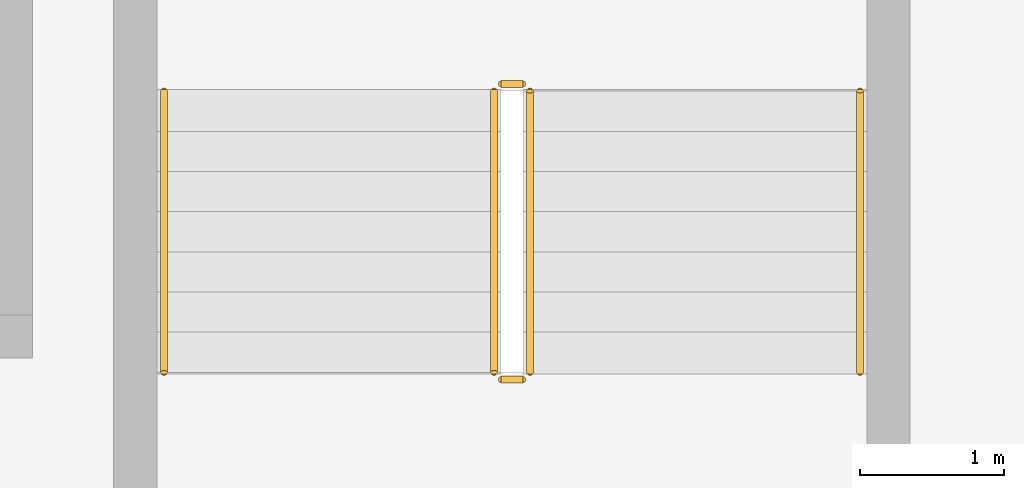
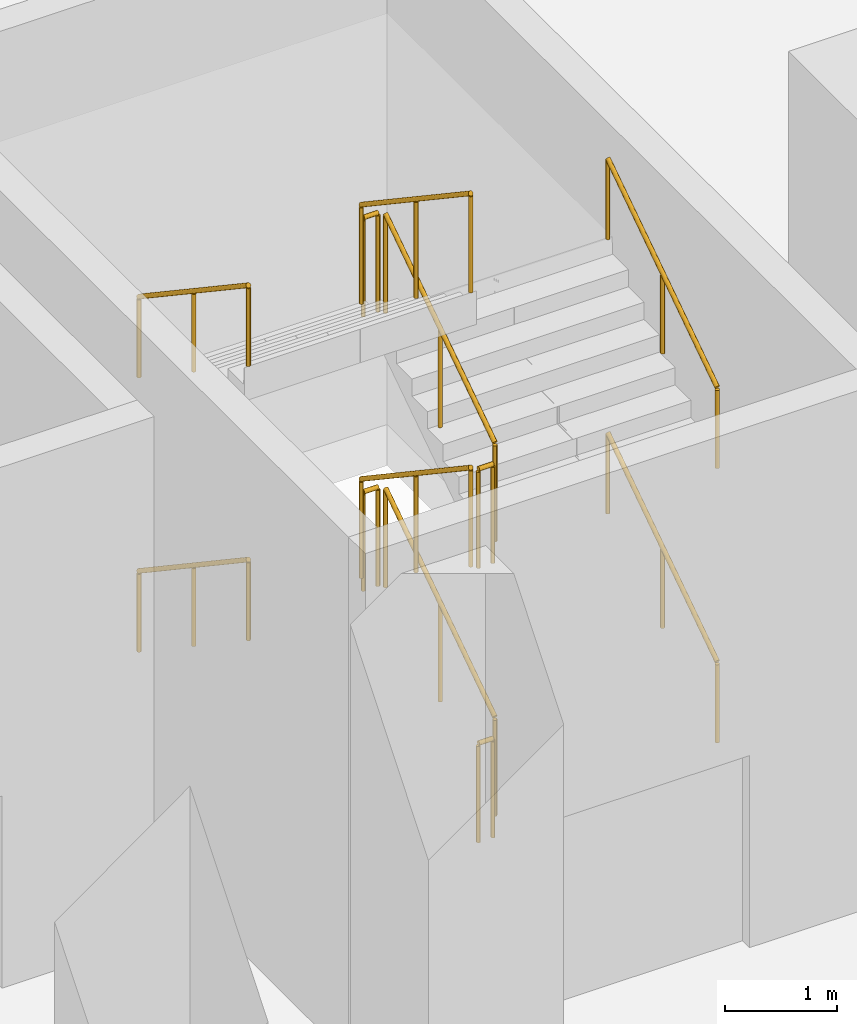
# One storey, part 27 of 30: 12 railings.
"""IFC4 building model written with IfcOpenShell, lengths in metres."""

from ifc_helpers import new_model, si_unit, direction, frame, origin, origin_2d, place, context, subcontext, project, spatial, circle, extrude, material, type_object, element, save


model = new_model("IFC4")

# Units and contexts
model_context = context("Model", 3, precision=1e-05, world=origin(), true_north=direction((0.0, 1.0)))
body_context = subcontext(model_context, "Body", "Model", "MODEL_VIEW")
ifc_project = project(units=[si_unit("LENGTHUNIT", "METRE"), si_unit("AREAUNIT", "SQUARE_METRE"), si_unit("VOLUMEUNIT", "CUBIC_METRE"), si_unit("PLANEANGLEUNIT", "RADIAN"), si_unit("MASSUNIT", "GRAM", prefix="KILO")], contexts=[model_context])

# Site, building, storey
site_placement = place(None, origin())
site = spatial("IfcSite", under=ifc_project, at=site_placement, CompositionType="ELEMENT")
building_placement = place(site_placement, origin())
building = spatial("IfcBuilding", under=site, at=building_placement, Name="Wharfspan Tower", CompositionType="ELEMENT")
storey_placement = place(building_placement, frame((0.0, 0.0, 21.5)))
storey = spatial("IfcBuildingStorey", under=building, at=storey_placement, Name="L03", CompositionType="ELEMENT", Elevation=21.5)

# Railings
ifc_material = material(Name="Steel S355J2", Category="steel")
railing_type_1 = type_object("IfcRailingType", Name="Podium guard 1100", PredefinedType="GUARDRAIL", material=ifc_material)
railing_1_placement = place(storey_placement, frame((74.817383, 30.100098, 0.1875)))
element("IfcRailing", 1, at=railing_1_placement, inside=storey, type_object=railing_type_1, Name="L03 PS5 stair guard 1", PredefinedType="GUARDRAIL", context=body_context, shape_type="SweptSolid", body=[
    extrude(circle(Radius=0.023926, at=origin_2d()), frame((0.0, 0.0, 1.076172), z_axis=(0.0, 0.830902, 0.556419), x_axis=(-1.0, 0.0, 0.0)), (0.0, 0.0, 1.0), 2.358887),
    extrude(circle(Radius=0.020996, at=origin_2d()), origin(), (0.0, 0.0, 1.0), 1.052002),
    extrude(circle(Radius=0.020996, at=origin_2d()), frame((0.0, 0.97998, 0.65625)), (0.0, 0.0, 1.0), 1.052002),
    extrude(circle(Radius=0.020996, at=origin_2d()), frame((0.0, 1.959961, 1.3125)), (0.0, 0.0, 1.0), 1.052002),
])
railing_2_placement = place(storey_placement, frame((74.767578, 32.110107, 1.5)))
element("IfcRailing", 2, at=railing_2_placement, inside=storey, type_object=railing_type_1, Name="L03 PS5 stair guard 2", PredefinedType="GUARDRAIL", context=body_context, shape_type="SweptSolid", body=[
    extrude(circle(Radius=0.023926, at=origin_2d()), frame((0.0, 0.0, 1.076172), z_axis=(-1.0, 0.0, 0.0), x_axis=(0.0, -1.0, 0.0)), (0.0, 0.0, 1.0), 0.150146),
    extrude(circle(Radius=0.020996, at=origin_2d()), origin(), (0.0, 0.0, 1.0), 1.052002),
    extrude(circle(Radius=0.020996, at=origin_2d()), frame((-0.150146, 0.0, 0.0)), (0.0, 0.0, 1.0), 1.052002),
])
railing_3_placement = place(storey_placement, frame((74.567383, 32.060059, 1.6875)))
element("IfcRailing", 3, at=railing_3_placement, inside=storey, type_object=railing_type_1, Name="L03 PS5 stair guard 3", PredefinedType="GUARDRAIL", context=body_context, shape_type="SweptSolid", body=[
    extrude(circle(Radius=0.023926, at=origin_2d()), frame((0.0, 0.0, 1.076172), z_axis=(0.0, -0.830902, 0.556419), x_axis=(1.0, 0.0, 0.0)), (0.0, 0.0, 1.0), 2.358887),
    extrude(circle(Radius=0.020996, at=origin_2d()), origin(), (0.0, 0.0, 1.0), 1.052002),
    extrude(circle(Radius=0.020996, at=origin_2d()), frame((0.0, -0.97998, 0.65625)), (0.0, 0.0, 1.0), 1.052002),
    extrude(circle(Radius=0.020996, at=origin_2d()), frame((0.0, -1.959961, 1.3125)), (0.0, 0.0, 1.0), 1.052002),
])
railing_4_placement = place(storey_placement, frame((74.767578, 30.050049, 3.0)))
element("IfcRailing", 4, at=railing_4_placement, inside=storey, type_object=railing_type_1, Name="L03 PS5 stair guard 4", PredefinedType="GUARDRAIL", context=body_context, shape_type="SweptSolid", body=[
    extrude(circle(Radius=0.023926, at=origin_2d()), frame((0.0, 0.0, 1.076172), z_axis=(-1.0, 0.0, 0.0), x_axis=(0.0, -1.0, 0.0)), (0.0, 0.0, 1.0), 0.150146),
    extrude(circle(Radius=0.020996, at=origin_2d()), origin(), (0.0, 0.0, 1.0), 1.052002),
    extrude(circle(Radius=0.020996, at=origin_2d()), frame((-0.150146, 0.0, 0.0)), (0.0, 0.0, 1.0), 1.052002),
])
railing_5_placement = place(storey_placement, frame((74.817383, 30.100098, 3.1875)))
element("IfcRailing", 5, at=railing_5_placement, inside=storey, type_object=railing_type_1, Name="L03 PS5 stair guard 5", PredefinedType="GUARDRAIL", context=body_context, shape_type="SweptSolid", body=[
    extrude(circle(Radius=0.023926, at=origin_2d()), frame((0.0, 0.0, 1.076172), z_axis=(0.0, 0.830902, 0.556419), x_axis=(-1.0, 0.0, 0.0)), (0.0, 0.0, 1.0), 2.358887),
    extrude(circle(Radius=0.020996, at=origin_2d()), origin(), (0.0, 0.0, 1.0), 1.052002),
    extrude(circle(Radius=0.020996, at=origin_2d()), frame((0.0, 0.97998, 0.65625)), (0.0, 0.0, 1.0), 1.052002),
    extrude(circle(Radius=0.020996, at=origin_2d()), frame((0.0, 1.959961, 1.3125)), (0.0, 0.0, 1.0), 1.052002),
])
railing_6_placement = place(storey_placement, frame((74.767578, 32.110107, 4.5)))
element("IfcRailing", 6, at=railing_6_placement, inside=storey, type_object=railing_type_1, Name="L03 PS5 stair guard 6", PredefinedType="GUARDRAIL", context=body_context, shape_type="SweptSolid", body=[
    extrude(circle(Radius=0.023926, at=origin_2d()), frame((0.0, 0.0, 1.076172), z_axis=(-1.0, 0.0, 0.0), x_axis=(0.0, -1.0, 0.0)), (0.0, 0.0, 1.0), 0.150146),
    extrude(circle(Radius=0.020996, at=origin_2d()), origin(), (0.0, 0.0, 1.0), 1.052002),
    extrude(circle(Radius=0.020996, at=origin_2d()), frame((-0.150146, 0.0, 0.0)), (0.0, 0.0, 1.0), 1.052002),
])
railing_7_placement = place(storey_placement, frame((74.567383, 32.060059, 4.6875)))
element("IfcRailing", 7, at=railing_7_placement, inside=storey, type_object=railing_type_1, Name="L03 PS5 stair guard 7", PredefinedType="GUARDRAIL", context=body_context, shape_type="SweptSolid", body=[
    extrude(circle(Radius=0.023926, at=origin_2d()), frame((0.0, 0.0, 1.076172), z_axis=(0.0, -0.830902, 0.556419), x_axis=(1.0, 0.0, 0.0)), (0.0, 0.0, 1.0), 2.358887),
    extrude(circle(Radius=0.020996, at=origin_2d()), origin(), (0.0, 0.0, 1.0), 1.052002),
    extrude(circle(Radius=0.020996, at=origin_2d()), frame((0.0, -0.97998, 0.65625)), (0.0, 0.0, 1.0), 1.052002),
    extrude(circle(Radius=0.020996, at=origin_2d()), frame((0.0, -1.959961, 1.3125)), (0.0, 0.0, 1.0), 1.052002),
])
railing_8_placement = place(storey_placement, frame((74.767578, 30.050049, 0.0)))
element("IfcRailing", 8, at=railing_8_placement, inside=storey, type_object=railing_type_1, Name="L03 PS5 stair guard 8", PredefinedType="GUARDRAIL", context=body_context, shape_type="SweptSolid", body=[
    extrude(circle(Radius=0.023926, at=origin_2d()), frame((0.0, 0.0, 1.076172), z_axis=(-1.0, 0.0, 0.0), x_axis=(0.0, -1.0, 0.0)), (0.0, 0.0, 1.0), 0.150146),
    extrude(circle(Radius=0.020996, at=origin_2d()), origin(), (0.0, 0.0, 1.0), 1.052002),
    extrude(circle(Radius=0.020996, at=origin_2d()), frame((-0.150146, 0.0, 0.0)), (0.0, 0.0, 1.0), 1.052002),
])
railing_type_2 = type_object("IfcRailingType", Name="Podium stair handrail 900", PredefinedType="HANDRAIL", material=ifc_material)
railing_9_placement = place(storey_placement, frame((77.117432, 30.100098, 0.1875)))
element("IfcRailing", 9, at=railing_9_placement, inside=storey, type_object=railing_type_2, Name="L03 PS5 stair handrail 1", PredefinedType="HANDRAIL", context=body_context, shape_type="SweptSolid", body=[
    extrude(circle(Radius=0.023926, at=origin_2d()), frame((0.0, 0.0, 0.875977), z_axis=(0.0, 0.830902, 0.556419), x_axis=(-1.0, 0.0, 0.0)), (0.0, 0.0, 1.0), 2.358887),
    extrude(circle(Radius=0.020996, at=origin_2d()), origin(), (0.0, 0.0, 1.0), 0.851807),
    extrude(circle(Radius=0.020996, at=origin_2d()), frame((0.0, 0.97998, 0.65625)), (0.0, 0.0, 1.0), 0.851807),
    extrude(circle(Radius=0.020996, at=origin_2d()), frame((0.0, 1.959961, 1.3125)), (0.0, 0.0, 1.0), 0.851807),
])
railing_10_placement = place(storey_placement, frame((72.267578, 32.060059, 1.6875)))
element("IfcRailing", 10, at=railing_10_placement, inside=storey, type_object=railing_type_2, Name="L03 PS5 stair handrail 2", PredefinedType="HANDRAIL", context=body_context, shape_type="SweptSolid", body=[
    extrude(circle(Radius=0.023926, at=origin_2d()), frame((0.0, 0.0, 0.875977), z_axis=(0.0, -0.830902, 0.556419), x_axis=(1.0, 0.0, 0.0)), (0.0, 0.0, 1.0), 2.358887),
    extrude(circle(Radius=0.020996, at=origin_2d()), origin(), (0.0, 0.0, 1.0), 0.851807),
    extrude(circle(Radius=0.020996, at=origin_2d()), frame((0.0, -0.97998, 0.65625)), (0.0, 0.0, 1.0), 0.851807),
    extrude(circle(Radius=0.020996, at=origin_2d()), frame((0.0, -1.959961, 1.3125)), (0.0, 0.0, 1.0), 0.851807),
])
railing_11_placement = place(storey_placement, frame((77.117432, 30.100098, 3.1875)))
element("IfcRailing", 11, at=railing_11_placement, inside=storey, type_object=railing_type_2, Name="L03 PS5 stair handrail 3", PredefinedType="HANDRAIL", context=body_context, shape_type="SweptSolid", body=[
    extrude(circle(Radius=0.023926, at=origin_2d()), frame((0.0, 0.0, 0.875977), z_axis=(0.0, 0.830902, 0.556419), x_axis=(-1.0, 0.0, 0.0)), (0.0, 0.0, 1.0), 2.358887),
    extrude(circle(Radius=0.020996, at=origin_2d()), origin(), (0.0, 0.0, 1.0), 0.851807),
    extrude(circle(Radius=0.020996, at=origin_2d()), frame((0.0, 0.97998, 0.65625)), (0.0, 0.0, 1.0), 0.851807),
    extrude(circle(Radius=0.020996, at=origin_2d()), frame((0.0, 1.959961, 1.3125)), (0.0, 0.0, 1.0), 0.851807),
])
railing_12_placement = place(storey_placement, frame((72.267578, 32.060059, 4.6875)))
element("IfcRailing", 12, at=railing_12_placement, inside=storey, type_object=railing_type_2, Name="L03 PS5 stair handrail 4", PredefinedType="HANDRAIL", context=body_context, shape_type="SweptSolid", body=[
    extrude(circle(Radius=0.023926, at=origin_2d()), frame((0.0, 0.0, 0.875977), z_axis=(0.0, -0.830902, 0.556419), x_axis=(1.0, 0.0, 0.0)), (0.0, 0.0, 1.0), 2.358887),
    extrude(circle(Radius=0.020996, at=origin_2d()), origin(), (0.0, 0.0, 1.0), 0.851807),
    extrude(circle(Radius=0.020996, at=origin_2d()), frame((0.0, -0.97998, 0.65625)), (0.0, 0.0, 1.0), 0.851807),
    extrude(circle(Radius=0.020996, at=origin_2d()), frame((0.0, -1.959961, 1.3125)), (0.0, 0.0, 1.0), 0.851807),
])

save(model, "model.ifc")
